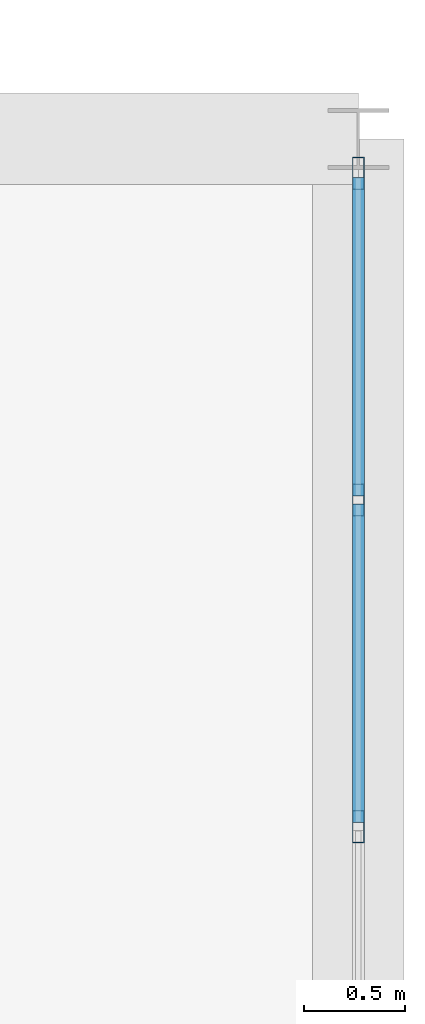
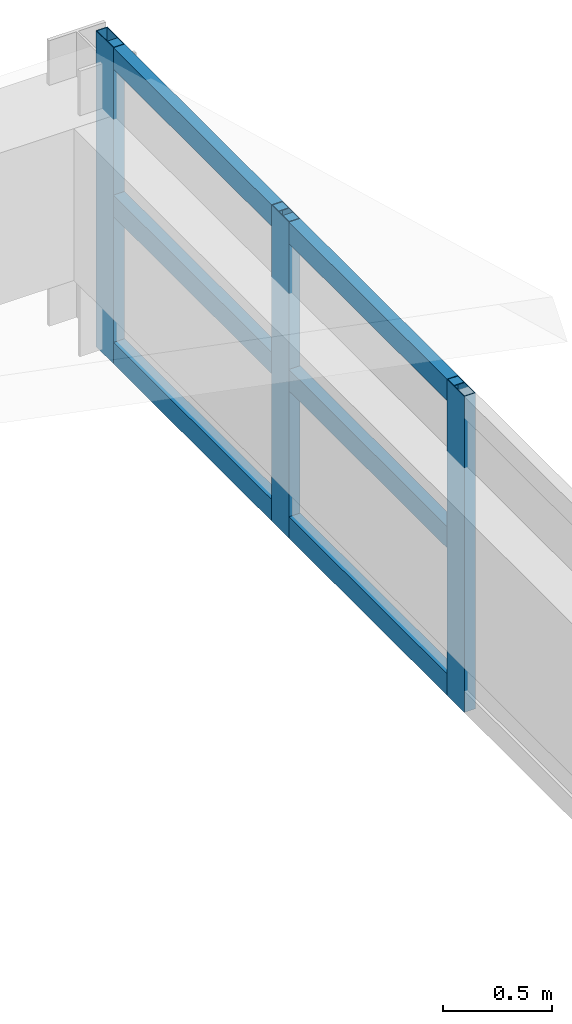
# One storey, part 61 of 82: 9 members, 1 element without a shape of its own.
"""IFC4 building model written with IfcOpenShell, lengths in metres."""

from ifc_helpers import new_model, si_unit, direction, frame, origin, origin_2d, place, context, subcontext, project, spatial, hollow_rectangle, extrude, material, layer, layer_set, material_profile, profile_set, type_object, element, aggregate, save


model = new_model("IFC4")

# Units and contexts
model_context = context("Model", 3, precision=1e-05, world=origin(), true_north=direction((0.0, 1.0)))
body_context = subcontext(model_context, "Body", "Model", "MODEL_VIEW")
ifc_project = project(units=[si_unit("LENGTHUNIT", "METRE"), si_unit("AREAUNIT", "SQUARE_METRE"), si_unit("VOLUMEUNIT", "CUBIC_METRE"), si_unit("PLANEANGLEUNIT", "RADIAN"), si_unit("MASSUNIT", "GRAM", prefix="KILO")], contexts=[model_context])

# Site, building, storey
site_placement = place(None, origin())
site = spatial("IfcSite", under=ifc_project, at=site_placement, CompositionType="ELEMENT")
building_placement = place(site_placement, origin())
building = spatial("IfcBuilding", under=site, at=building_placement, Name="Mersad Railyard Sports Hall", CompositionType="ELEMENT")
storey_placement = place(building_placement, frame((0.0, 0.0, 13.199951171875)))
storey = spatial("IfcBuildingStorey", under=building, at=storey_placement, Name="L03", CompositionType="ELEMENT", Elevation=13.199951171875)

# Curtain wall, members
ifc_material = material(Name="Aluminium 6063-T6", Category="aluminium")
ifc_layer = layer(ifc_material, 0.159912109375)
ifc_layer_set = layer_set([ifc_layer], Name="Aluminium 6063-T6")
curtain_wall_type = type_object("IfcCurtainWallType", Name="ARC-CW-CW24", PredefinedType="USERDEFINED", material=ifc_layer_set)
curtain_wall_placement = place(storey_placement, origin())
curtain_wall = element("IfcCurtainWall", 1, at=curtain_wall_placement, inside=storey, type_object=curtain_wall_type, Name="Curtain wall CW24-0063", ObjectType="CURTAIN WALL", PredefinedType="USERDEFINED")
ifc_material_profile_1 = material_profile(ifc_material, hollow_rectangle(XDim=0.06005859375, YDim=0.159912109375, WallThickness=0.00390625, at=origin_2d()), Name="AL MULLION 60x160x4")
ifc_profile_set_1 = profile_set([ifc_material_profile_1], Name="Aluminium 6063-T6")
member_type_1 = type_object("IfcMemberType", Name="ARC-CW-MUL01", PredefinedType="MULLION", material=ifc_profile_set_1)
member_1_placement = place(storey_placement, frame((179.0, 94.830078125, -0.02001953125), z_axis=(0.0, 0.0, 1.0), x_axis=(1.0, 0.0, 0.0)))
member_1 = element("IfcMember", 2, at=member_1_placement, type_object=member_type_1, Name="CW24 Mullion 1", PredefinedType="MULLION", context=body_context, shape_type="SweptSolid", body=[
    extrude(hollow_rectangle(XDim=0.06005859375, YDim=0.159912109375, WallThickness=0.00390625, at=origin_2d()), origin(), (0.0, 0.0, 1.0), 1.77001953125),
])
member_2_placement = place(storey_placement, frame((179.0, 93.219970703125, -0.02001953125), z_axis=(0.0, 0.0, 1.0), x_axis=(1.0, 0.0, 0.0)))
member_2 = element("IfcMember", 3, at=member_2_placement, type_object=member_type_1, Name="CW24 Mullion 2", PredefinedType="MULLION", context=body_context, shape_type="SweptSolid", body=[
    extrude(hollow_rectangle(XDim=0.06005859375, YDim=0.159912109375, WallThickness=0.00390625, at=origin_2d()), origin(), (0.0, 0.0, 1.0), 1.77001953125),
])
member_3_placement = place(storey_placement, frame((179.0, 91.610107421875, -0.02001953125), z_axis=(0.0, 0.0, 1.0), x_axis=(1.0, 0.0, 0.0)))
member_3 = element("IfcMember", 4, at=member_3_placement, type_object=member_type_1, Name="CW24 Mullion 3", PredefinedType="MULLION", context=body_context, shape_type="SweptSolid", body=[
    extrude(hollow_rectangle(XDim=0.06005859375, YDim=0.159912109375, WallThickness=0.00390625, at=origin_2d()), origin(), (0.0, 0.0, 1.0), 1.77001953125),
])
ifc_material_profile_2 = material_profile(ifc_material, hollow_rectangle(XDim=0.06005859375, YDim=0.1201171875, WallThickness=0.00390625, at=origin_2d()), Name="AL TRANSOM 60x120x4")
ifc_profile_set_2 = profile_set([ifc_material_profile_2], Name="Aluminium 6063-T6")
member_type_2 = type_object("IfcMemberType", Name="ARC-CW-TRN01", PredefinedType="USERDEFINED", material=ifc_profile_set_2)
member_4_placement = place(storey_placement, frame((179.0, 94.81005859375, 0.0400390625), z_axis=(0.0, -1.0, 0.0), x_axis=(1.0, 0.0, 0.0)))
member_4 = element("IfcMember", 5, at=member_4_placement, type_object=member_type_2, Name="CW24 Transom 1-1", ObjectType="TRANSOM", PredefinedType="USERDEFINED", context=body_context, shape_type="SweptSolid", body=[
    extrude(hollow_rectangle(XDim=0.06005859375, YDim=0.1201171875, WallThickness=0.00390625, at=origin_2d()), origin(), (0.0, 0.0, 1.0), 1.570068359375),
])
member_5_placement = place(storey_placement, frame((179.0, 93.199951171875, 0.0400390625), z_axis=(0.0, -1.0, 0.0), x_axis=(1.0, 0.0, 0.0)))
member_5 = element("IfcMember", 6, at=member_5_placement, type_object=member_type_2, Name="CW24 Transom 1-2", ObjectType="TRANSOM", PredefinedType="USERDEFINED", context=body_context, shape_type="SweptSolid", body=[
    extrude(hollow_rectangle(XDim=0.06005859375, YDim=0.1201171875, WallThickness=0.00390625, at=origin_2d()), origin(), (0.0, 0.0, 1.0), 1.570068359375),
])
member_6_placement = place(storey_placement, frame((179.0, 94.81005859375, 0.864990234375), z_axis=(0.0, -1.0, 0.0), x_axis=(1.0, 0.0, 0.0)))
member_6 = element("IfcMember", 7, at=member_6_placement, type_object=member_type_2, Name="CW24 Transom 2-1", ObjectType="TRANSOM", PredefinedType="USERDEFINED", context=body_context, shape_type="SweptSolid", body=[
    extrude(hollow_rectangle(XDim=0.06005859375, YDim=0.1201171875, WallThickness=0.00390625, at=origin_2d()), origin(), (0.0, 0.0, 1.0), 1.570068359375),
])
member_7_placement = place(storey_placement, frame((179.0, 93.199951171875, 0.864990234375), z_axis=(0.0, -1.0, 0.0), x_axis=(1.0, 0.0, 0.0)))
member_7 = element("IfcMember", 8, at=member_7_placement, type_object=member_type_2, Name="CW24 Transom 2-2", ObjectType="TRANSOM", PredefinedType="USERDEFINED", context=body_context, shape_type="SweptSolid", body=[
    extrude(hollow_rectangle(XDim=0.06005859375, YDim=0.1201171875, WallThickness=0.00390625, at=origin_2d()), origin(), (0.0, 0.0, 1.0), 1.570068359375),
])
member_8_placement = place(storey_placement, frame((179.0, 94.81005859375, 1.68994140625), z_axis=(0.0, -1.0, 0.0), x_axis=(1.0, 0.0, 0.0)))
member_8 = element("IfcMember", 9, at=member_8_placement, type_object=member_type_2, Name="CW24 Transom 3-1", ObjectType="TRANSOM", PredefinedType="USERDEFINED", context=body_context, shape_type="SweptSolid", body=[
    extrude(hollow_rectangle(XDim=0.06005859375, YDim=0.1201171875, WallThickness=0.00390625, at=origin_2d()), origin(), (0.0, 0.0, 1.0), 1.570068359375),
])
member_9_placement = place(storey_placement, frame((179.0, 93.199951171875, 1.68994140625), z_axis=(0.0, -1.0, 0.0), x_axis=(1.0, 0.0, 0.0)))
member_9 = element("IfcMember", 10, at=member_9_placement, type_object=member_type_2, Name="CW24 Transom 3-2", ObjectType="TRANSOM", PredefinedType="USERDEFINED", context=body_context, shape_type="SweptSolid", body=[
    extrude(hollow_rectangle(XDim=0.06005859375, YDim=0.1201171875, WallThickness=0.00390625, at=origin_2d()), origin(), (0.0, 0.0, 1.0), 1.570068359375),
])
aggregate(curtain_wall, [member_1, member_2, member_3, member_4, member_5, member_6, member_7, member_8, member_9])

save(model, "model.ifc")
